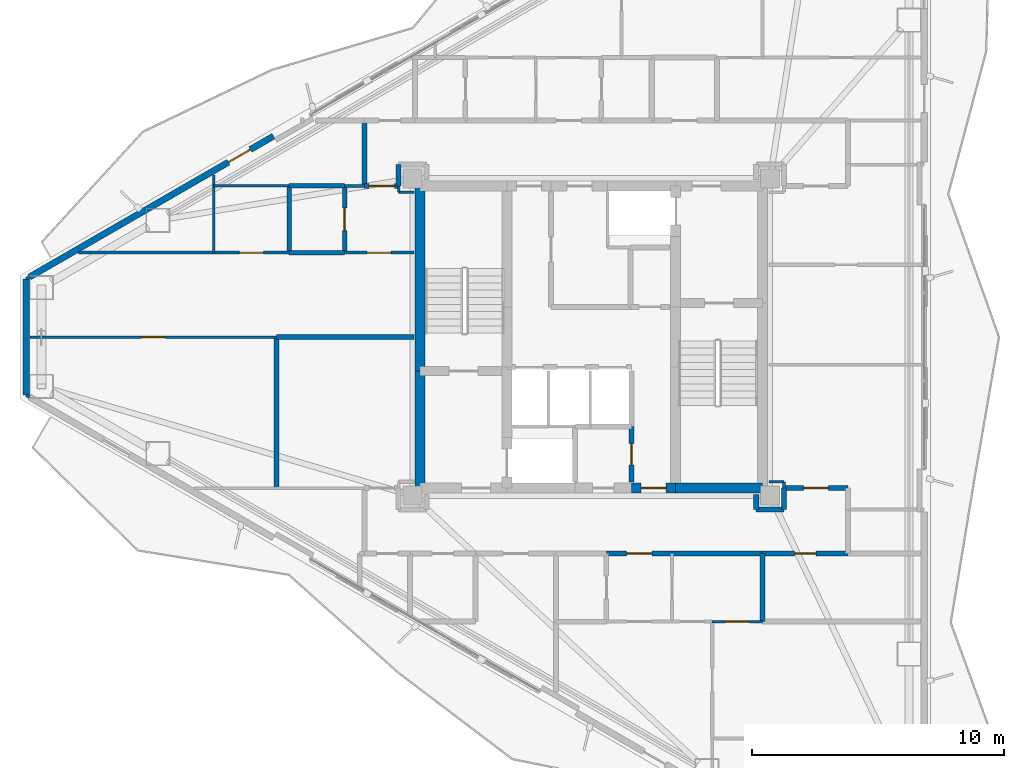
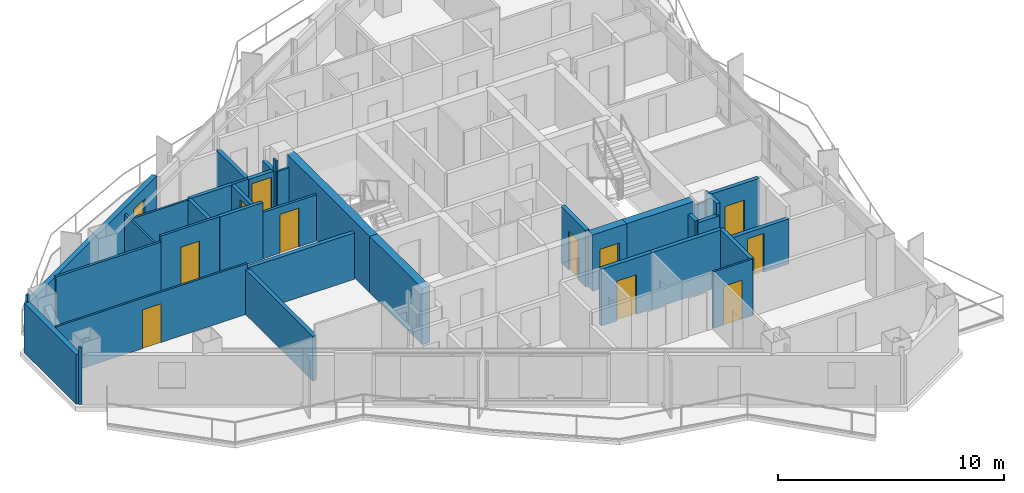
# One storey, part 13 of 18: 38 walls, 12 doors, 12 openings.
"""IFC4 building model written with IfcOpenShell, lengths in metres."""

from ifc_helpers import new_model, si_unit, direction, frame, frame_2d, origin, place, context, subcontext, project, spatial, rectangle, extrude, material, layer, layer_set, type_object, element, fill, save


model = new_model("IFC4")

# Units and contexts
model_context = context("Model", 3, precision=1e-05, world=origin(), true_north=direction((0.0, 1.0)))
body_context = subcontext(model_context, "Body", "Model", "MODEL_VIEW")
ifc_project = project(units=[si_unit("LENGTHUNIT", "METRE"), si_unit("AREAUNIT", "SQUARE_METRE"), si_unit("VOLUMEUNIT", "CUBIC_METRE"), si_unit("PLANEANGLEUNIT", "RADIAN"), si_unit("MASSUNIT", "GRAM", prefix="KILO")], contexts=[model_context])

# Site, building, storey
site_placement = place(None, origin())
site = spatial("IfcSite", under=ifc_project, at=site_placement, CompositionType="ELEMENT")
building_placement = place(site_placement, origin())
building = spatial("IfcBuilding", under=site, at=building_placement, Name="Mersakhor Tower and Convention Hall", CompositionType="ELEMENT")
storey_placement = place(building_placement, frame((0.0, 0.0, 137.699951171875)))
storey = spatial("IfcBuildingStorey", under=building, at=storey_placement, Name="L38", CompositionType="ELEMENT", Elevation=137.699951171875)

# Wall
ifc_material_1 = material(Name="Precast concrete C40/50", Category="concrete")
ifc_layer_1 = layer(ifc_material_1, 0.25)
ifc_layer_set_1 = layer_set([ifc_layer_1], Name="Precast concrete C40/50")
wall_type_1 = type_object("IfcWallType", Name="WL-EXT-250", PredefinedType="SOLIDWALL", material=ifc_layer_set_1)
wall_1_placement = place(storey_placement, frame((6.560302734375, 24.44140625, 0.0), z_axis=(0.0, 0.0, 1.0), x_axis=(0.0, 1.0, 0.0)))
element("IfcWall", 1, at=wall_1_placement, inside=storey, type_object=wall_type_1, Name="L38 Chamfer Braced Spandrel Wall C3", PredefinedType="SOLIDWALL", context=body_context, shape_type="SweptSolid", body=[
    extrude(rectangle(XDim=4.6171875, YDim=0.25, at=frame_2d((2.30859375, 0.0))), origin(), (0.0, 0.0, 1.0), 2.679931640625),
])

# Wall, opening, door
wall_2_placement = place(storey_placement, frame((6.690185546875, 29.1337890625, 0.0), z_axis=(0.0, 0.0, 1.0), x_axis=(0.866027848477, 0.499995765644, 0.0)))
wall_2 = element("IfcWall", 2, at=wall_2_placement, inside=storey, type_object=wall_type_1, Name="L38 Exterior Facade Wall F1-B1", PredefinedType="SOLIDWALL", context=body_context, shape_type="SweptSolid", body=[
    extrude(rectangle(XDim=11.18603515625, YDim=0.25, at=frame_2d((5.593017578125, 0.0))), origin(), (0.0, 0.0, 1.0), 2.679931640625),
])
opening_1_placement = place(wall_2_placement, frame((9.1220703125, 0.0, 0.0)))
opening_1 = element("IfcOpeningElement", 3, at=opening_1_placement, cuts=wall_2, Name="Opening BD-01", PredefinedType="OPENING", context=body_context, shape_type="SweptSolid", body=[
    extrude(rectangle(XDim=1.0, YDim=2.10009765625, at=frame_2d((0.5, 1.050048828125))), frame((0.0, 0.135009765625, 0.0), z_axis=(0.0, -1.0, 0.0), x_axis=(1.0, 0.0, 0.0)), (0.0, 0.0, 1.0), 0.27001953125),
])
ifc_material_2 = material(Name="Thermally broken dark aluminium and safety glass", Category="aluminium")
door_type_1 = type_object("IfcDoorType", Name="DR-BAL-100x210", OperationType="NOTDEFINED", PredefinedType="DOOR", material=ifc_material_2)
door_1_placement = place(opening_1_placement, origin())
door_1 = element("IfcDoor", 4, at=door_1_placement, inside=storey, type_object=door_type_1, Name="L38 Balcony Terrace Door F1-B1", OperationType="SINGLE_SWING_LEFT", OverallHeight=2.10009765625, OverallWidth=1.0, PredefinedType="DOOR", context=body_context, shape_type="SweptSolid", body=[
    extrude(rectangle(XDim=1.0, YDim=2.10009765625, at=frame_2d((0.5, 1.050048828125))), frame((0.0, 0.02490234375, 0.0), z_axis=(0.0, -1.0, 0.0), x_axis=(1.0, 0.0, 0.0)), (0.0, 0.0, 1.0), 0.050048828125),
])
fill(opening_1, door_1)

ifc_material_3 = material(Name="Moisture-resistant acoustic drywall studwork", Category="other")
ifc_layer_2 = layer(ifc_material_3, 0.175048828125)
ifc_layer_set_2 = layer_set([ifc_layer_2], Name="Moisture-resistant acoustic drywall studwork")
wall_type_2 = type_object("IfcWallType", Name="WL-PLM-175", PredefinedType="PLUMBINGWALL", material=ifc_layer_set_2)
wall_3_placement = place(storey_placement, frame((19.199951171875, 30.10009765625, 0.0), z_axis=(0.0, 0.0, 1.0), x_axis=(0.0, 1.0, 0.0)))
wall_3 = element("IfcWall", 5, at=wall_3_placement, inside=storey, type_object=wall_type_2, Name="L38 Interior Partition Wall P-060", PredefinedType="PLUMBINGWALL", context=body_context, shape_type="SweptSolid", body=[
    extrude(rectangle(XDim=2.64990234375, YDim=0.175048828125, at=frame_2d((1.324951171875, 0.0))), origin(), (0.0, 0.0, 1.0), 2.432861328125),
])
opening_2_placement = place(wall_3_placement, frame((0.875, 0.0, 0.0)))
opening_2 = element("IfcOpeningElement", 6, at=opening_2_placement, cuts=wall_3, Name="Opening WD-01", PredefinedType="OPENING", context=body_context, shape_type="SweptSolid", body=[
    extrude(rectangle(XDim=0.89990234375, YDim=2.10009765625, at=frame_2d((0.449951171875, 1.050048828125))), frame((0.0, 0.097412109375, 0.0), z_axis=(0.0, -1.0, 0.0), x_axis=(1.0, 0.0, 0.0)), (0.0, 0.0, 1.0), 0.195068359375),
])
ifc_material_4 = material(Name="Solid-core hardwood leaf in painted steel frame", Category="steel")
door_type_2 = type_object("IfcDoorType", Name="DR-INT-WET-090x210", OperationType="NOTDEFINED", PredefinedType="DOOR", material=ifc_material_4)
door_2_placement = place(opening_2_placement, origin())
door_2 = element("IfcDoor", 7, at=door_2_placement, inside=storey, type_object=door_type_2, Name="L38 L38 Flat W4 Apartment Hall to L38 Flat W4 Bathroom Door", OperationType="SINGLE_SWING_RIGHT", OverallHeight=2.10009765625, OverallWidth=0.89990234375, PredefinedType="DOOR", context=body_context, shape_type="SweptSolid", body=[
    extrude(rectangle(XDim=0.89990234375, YDim=2.10009765625, at=frame_2d((0.449951171875, 1.050048828125))), frame((0.0, 0.02490234375, 0.0), z_axis=(0.0, -1.0, 0.0), x_axis=(1.0, 0.0, 0.0)), (0.0, 0.0, 1.0), 0.050048828125),
])
fill(opening_2, door_2)

# Walls
wall_4_placement = place(storey_placement, frame((17.0, 32.75, 0.0), z_axis=(0.0, 0.0, 1.0), x_axis=(1.0, 0.0, 0.0)))
element("IfcWall", 8, at=wall_4_placement, inside=storey, type_object=wall_type_2, Name="L38 Interior Partition Wall P-079", PredefinedType="PLUMBINGWALL", context=body_context, shape_type="SweptSolid", body=[
    extrude(rectangle(XDim=2.199951171875, YDim=0.175048828125, at=frame_2d((1.10009765625, 0.0))), origin(), (0.0, 0.0, 1.0), 2.432861328125),
])
wall_5_placement = place(storey_placement, frame((19.199951171875, 30.10009765625, 0.0), z_axis=(0.0, 0.0, 1.0), x_axis=(-1.0, 0.0, 0.0)))
element("IfcWall", 9, at=wall_5_placement, inside=storey, type_object=wall_type_2, Name="L38 Interior Partition Wall P-080", PredefinedType="PLUMBINGWALL", context=body_context, shape_type="SweptSolid", body=[
    extrude(rectangle(XDim=2.199951171875, YDim=0.175048828125, at=frame_2d((1.10009765625, 0.0))), origin(), (0.0, 0.0, 1.0), 3.06005859375),
])
wall_6_placement = place(storey_placement, frame((17.0, 30.10009765625, 0.0), z_axis=(0.0, 0.0, 1.0), x_axis=(0.0, 1.0, 0.0)))
element("IfcWall", 10, at=wall_6_placement, inside=storey, type_object=wall_type_2, Name="L38 Interior Partition Wall P-081", PredefinedType="PLUMBINGWALL", context=body_context, shape_type="SweptSolid", body=[
    extrude(rectangle(XDim=2.64990234375, YDim=0.175048828125, at=frame_2d((1.324951171875, 0.0))), origin(), (0.0, 0.0, 1.0), 2.432861328125),
])
ifc_material_5 = material(Name="Lightweight gypsum partition", Category="other")
ifc_layer_3 = layer(ifc_material_5, 0.10009765625)
ifc_layer_set_3 = layer_set([ifc_layer_3], Name="Lightweight gypsum partition")
wall_type_3 = type_object("IfcWallType", Name="WL-PRT-100", PredefinedType="PARTITIONING", material=ifc_layer_set_3)
wall_7_placement = place(storey_placement, frame((21.35009765625, 32.5, 0.0), z_axis=(0.0, 0.0, 1.0), x_axis=(1.0, 0.0, 0.0)))
element("IfcWall", 11, at=wall_7_placement, inside=storey, type_object=wall_type_3, Name="L38 Interior Partition Wall P-058", PredefinedType="PARTITIONING", context=body_context, shape_type="SweptSolid", body=[
    extrude(rectangle(XDim=0.599853515625, YDim=0.10009765625, at=frame_2d((0.2998046875, 0.0))), origin(), (0.0, 0.0, 1.0), 2.50830078125),
])
wall_8_placement = place(storey_placement, frame((21.35009765625, 32.75, 0.0), z_axis=(0.0, 0.0, 1.0), x_axis=(0.0, -1.0, 0.0)))
element("IfcWall", 12, at=wall_8_placement, inside=storey, type_object=wall_type_3, Name="L38 Interior Partition Wall P-062", PredefinedType="PARTITIONING", context=body_context, shape_type="SweptSolid", body=[
    extrude(rectangle(XDim=0.25, YDim=0.10009765625, at=frame_2d((0.125, 0.0))), origin(), (0.0, 0.0, 1.0), 3.06005859375),
])

# Wall, opening, door
wall_9_placement = place(storey_placement, frame((35.800048828125, 15.449951171875, 0.0), z_axis=(0.0, 0.0, 1.0), x_axis=(-1.0, 0.0, 0.0)))
wall_9 = element("IfcWall", 13, at=wall_9_placement, inside=storey, type_object=wall_type_3, Name="L38 Interior Partition Wall P-076", PredefinedType="PARTITIONING", context=body_context, shape_type="SweptSolid", body=[
    extrude(rectangle(XDim=2.0, YDim=0.10009765625, at=frame_2d((1.0, 0.0))), origin(), (0.0, 0.0, 1.0), 3.06005859375),
])
opening_3_placement = place(wall_9_placement, frame((0.52490234375, 0.0, 0.0)))
opening_3 = element("IfcOpeningElement", 14, at=opening_3_placement, cuts=wall_9, Name="Opening RD-01", PredefinedType="OPENING", context=body_context, shape_type="SweptSolid", body=[
    extrude(rectangle(XDim=0.949951171875, YDim=2.10009765625, at=frame_2d((0.47509765625, 1.050048828125))), frame((0.0, 0.06005859375, 0.0), z_axis=(0.0, -1.0, 0.0), x_axis=(1.0, 0.0, 0.0)), (0.0, 0.0, 1.0), 0.1201171875),
])
ifc_material_6 = material(Name="Solid-core hardwood leaf in painted steel frame", Category="steel")
door_type_3 = type_object("IfcDoorType", Name="DR-INT-RM-095x210", OperationType="NOTDEFINED", PredefinedType="DOOR", material=ifc_material_6)
door_3_placement = place(opening_3_placement, origin())
door_3 = element("IfcDoor", 15, at=door_3_placement, inside=storey, type_object=door_type_3, Name="L38 L38 Flat S3 Kitchen to L38 Flat S3 Dining Room Door", OperationType="SINGLE_SWING_RIGHT", OverallHeight=2.10009765625, OverallWidth=0.949951171875, PredefinedType="DOOR", context=body_context, shape_type="SweptSolid", body=[
    extrude(rectangle(XDim=0.949951171875, YDim=2.10009765625, at=frame_2d((0.47509765625, 1.050048828125))), frame((0.0, 0.02490234375, 0.0), z_axis=(0.0, -1.0, 0.0), x_axis=(1.0, 0.0, 0.0)), (0.0, 0.0, 1.0), 0.050048828125),
])
fill(opening_3, door_3)

# Walls
wall_10_placement = place(storey_placement, frame((14.0, 32.75, 0.0), z_axis=(0.0, 0.0, 1.0), x_axis=(1.0, 0.0, 0.0)))
element("IfcWall", 16, at=wall_10_placement, inside=storey, type_object=wall_type_3, Name="L38 Interior Partition Wall P-082", PredefinedType="PARTITIONING", context=body_context, shape_type="SweptSolid", body=[
    extrude(rectangle(XDim=3.0, YDim=0.10009765625, at=frame_2d((1.5, 0.0))), origin(), (0.0, 0.0, 1.0), 2.364990234375),
])
wall_11_placement = place(storey_placement, frame((14.0, 30.10009765625, 0.0), z_axis=(0.0, 0.0, 1.0), x_axis=(0.0, 1.0, 0.0)))
element("IfcWall", 17, at=wall_11_placement, inside=storey, type_object=wall_type_3, Name="L38 Interior Partition Wall P-084", PredefinedType="PARTITIONING", context=body_context, shape_type="SweptSolid", body=[
    extrude(rectangle(XDim=3.081787109375, YDim=0.10009765625, at=frame_2d((1.541015625, 0.0))), origin(), (0.0, 0.0, 1.0), 2.364990234375),
])
wall_12_placement = place(storey_placement, frame((36.64990234375, 21.0, 0.0), z_axis=(0.0, 0.0, 1.0), x_axis=(-1.0, 0.0, 0.0)))
element("IfcWall", 18, at=wall_12_placement, inside=storey, type_object=wall_type_3, Name="L38 Interior Partition Wall P-104", PredefinedType="PARTITIONING", context=body_context, shape_type="SweptSolid", body=[
    extrude(rectangle(XDim=0.599853515625, YDim=0.10009765625, at=frame_2d((0.2998046875, 0.0))), origin(), (0.0, 0.0, 1.0), 2.50830078125),
])

# Wall, opening, door
wall_13_placement = place(storey_placement, frame((16.5, 26.75, 0.0), z_axis=(0.0, 0.0, 1.0), x_axis=(-1.0, 0.0, 0.0)))
wall_13 = element("IfcWall", 19, at=wall_13_placement, inside=storey, type_object=wall_type_3, Name="L38 Interior Partition Wall P-124", PredefinedType="PARTITIONING", context=body_context, shape_type="SweptSolid", body=[
    extrude(rectangle(XDim=9.790771484375, YDim=0.10009765625, at=frame_2d((4.8955078125, 0.0))), origin(), (0.0, 0.0, 1.0), 2.724609375),
])
opening_4_placement = place(wall_13_placement, frame((4.42041015625, 0.0, 0.0)))
opening_4 = element("IfcOpeningElement", 20, at=opening_4_placement, cuts=wall_13, Name="Opening RD-01", PredefinedType="OPENING", context=body_context, shape_type="SweptSolid", body=[
    extrude(rectangle(XDim=0.949951171875, YDim=2.10009765625, at=frame_2d((0.47509765625, 1.050048828125))), frame((0.0, 0.06005859375, 0.0), z_axis=(0.0, -1.0, 0.0), x_axis=(1.0, 0.0, 0.0)), (0.0, 0.0, 1.0), 0.1201171875),
])
door_4_placement = place(opening_4_placement, origin())
door_4 = element("IfcDoor", 21, at=door_4_placement, inside=storey, type_object=door_type_3, Name="L38 L38 Flat W4 Living and Dining Room to L38 Flat W4 Master Bedroom Door", OperationType="SINGLE_SWING_LEFT", OverallHeight=2.10009765625, OverallWidth=0.949951171875, PredefinedType="DOOR", context=body_context, shape_type="SweptSolid", body=[
    extrude(rectangle(XDim=0.949951171875, YDim=2.10009765625, at=frame_2d((0.47509765625, 1.050048828125))), frame((0.0, 0.02490234375, 0.0), z_axis=(0.0, -1.0, 0.0), x_axis=(1.0, 0.0, 0.0)), (0.0, 0.0, 1.0), 0.050048828125),
])
fill(opening_4, door_4)

ifc_material_7 = material(Name="Gypsum board acoustic partition", Category="other")
ifc_layer_4 = layer(ifc_material_7, 0.125)
ifc_layer_set_4 = layer_set([ifc_layer_4], Name="Gypsum board acoustic partition")
wall_type_4 = type_object("IfcWallType", Name="WL-PRT-125", PredefinedType="PARTITIONING", material=ifc_layer_set_4)
wall_14_placement = place(storey_placement, frame((21.949951171875, 30.10009765625, 0.0), z_axis=(0.0, 0.0, 1.0), x_axis=(-1.0, 0.0, 0.0)))
wall_14 = element("IfcWall", 22, at=wall_14_placement, inside=storey, type_object=wall_type_4, Name="L38 Interior Partition Wall P-059", PredefinedType="PARTITIONING", context=body_context, shape_type="SweptSolid", body=[
    extrude(rectangle(XDim=2.75, YDim=0.125, at=frame_2d((1.375, 0.0))), origin(), (0.0, 0.0, 1.0), 2.50830078125),
])
opening_5_placement = place(wall_14_placement, frame((0.89990234375, 0.0, 0.0)))
opening_5 = element("IfcOpeningElement", 23, at=opening_5_placement, cuts=wall_14, Name="Opening RD-01", PredefinedType="OPENING", context=body_context, shape_type="SweptSolid", body=[
    extrude(rectangle(XDim=0.949951171875, YDim=2.10009765625, at=frame_2d((0.47509765625, 1.050048828125))), frame((0.0, 0.072509765625, 0.0), z_axis=(0.0, -1.0, 0.0), x_axis=(1.0, 0.0, 0.0)), (0.0, 0.0, 1.0), 0.14501953125),
])
door_5_placement = place(opening_5_placement, origin())
door_5 = element("IfcDoor", 24, at=door_5_placement, inside=storey, type_object=door_type_3, Name="L38 L38 Flat W4 Apartment Hall to L38 Flat W4 Living and Dining Room Door", OperationType="SINGLE_SWING_LEFT", OverallHeight=2.10009765625, OverallWidth=0.949951171875, PredefinedType="DOOR", context=body_context, shape_type="SweptSolid", body=[
    extrude(rectangle(XDim=0.949951171875, YDim=2.10009765625, at=frame_2d((0.47509765625, 1.050048828125))), frame((0.0, 0.02490234375, 0.0), z_axis=(0.0, -1.0, 0.0), x_axis=(1.0, 0.0, 0.0)), (0.0, 0.0, 1.0), 0.050048828125),
])
fill(opening_5, door_5)

# Wall
wall_15_placement = place(storey_placement, frame((19.199951171875, 32.75, 0.0), z_axis=(0.0, 0.0, 1.0), x_axis=(1.0, 0.0, 0.0)))
element("IfcWall", 25, at=wall_15_placement, inside=storey, type_object=wall_type_4, Name="L38 Interior Partition Wall P-061", PredefinedType="PARTITIONING", context=body_context, shape_type="SweptSolid", body=[
    extrude(rectangle(XDim=0.800048828125, YDim=0.125, at=frame_2d((0.39990234375, 0.0))), origin(), (0.0, 0.0, 1.0), 2.432861328125),
])

# Wall, opening, door
wall_16_placement = place(storey_placement, frame((17.0, 30.10009765625, 0.0), z_axis=(0.0, 0.0, 1.0), x_axis=(-1.0, 0.0, 0.0)))
wall_16 = element("IfcWall", 26, at=wall_16_placement, inside=storey, type_object=wall_type_4, Name="L38 Interior Partition Wall P-083", PredefinedType="PARTITIONING", context=body_context, shape_type="SweptSolid", body=[
    extrude(rectangle(XDim=3.0, YDim=0.125, at=frame_2d((1.5, 0.0))), origin(), (0.0, 0.0, 1.0), 3.06005859375),
])
opening_6_placement = place(wall_16_placement, frame((1.02490234375, 0.0, 0.0)))
opening_6 = element("IfcOpeningElement", 27, at=opening_6_placement, cuts=wall_16, Name="Opening RD-01", PredefinedType="OPENING", context=body_context, shape_type="SweptSolid", body=[
    extrude(rectangle(XDim=0.949951171875, YDim=2.10009765625, at=frame_2d((0.47509765625, 1.050048828125))), frame((0.0, 0.072509765625, 0.0), z_axis=(0.0, -1.0, 0.0), x_axis=(1.0, 0.0, 0.0)), (0.0, 0.0, 1.0), 0.14501953125),
])
door_6_placement = place(opening_6_placement, origin())
door_6 = element("IfcDoor", 28, at=door_6_placement, inside=storey, type_object=door_type_3, Name="L38 L38 Flat W4 Kitchen to L38 Flat W4 Living and Dining Room Door", OperationType="SINGLE_SWING_LEFT", OverallHeight=2.10009765625, OverallWidth=0.949951171875, PredefinedType="DOOR", context=body_context, shape_type="SweptSolid", body=[
    extrude(rectangle(XDim=0.949951171875, YDim=2.10009765625, at=frame_2d((0.47509765625, 1.050048828125))), frame((0.0, 0.02490234375, 0.0), z_axis=(0.0, -1.0, 0.0), x_axis=(1.0, 0.0, 0.0)), (0.0, 0.0, 1.0), 0.050048828125),
])
fill(opening_6, door_6)

# Walls
wall_17_placement = place(storey_placement, frame((36.64990234375, 20.75, 0.0), z_axis=(0.0, 0.0, 1.0), x_axis=(0.0, 1.0, 0.0)))
element("IfcWall", 29, at=wall_17_placement, inside=storey, type_object=wall_type_4, Name="L38 Interior Partition Wall P-103", PredefinedType="PARTITIONING", context=body_context, shape_type="SweptSolid", body=[
    extrude(rectangle(XDim=0.25, YDim=0.125, at=frame_2d((0.125, 0.0))), origin(), (0.0, 0.0, 1.0), 3.06005859375),
])
wall_18_placement = place(storey_placement, frame((8.634765625, 30.10009765625, 0.0), z_axis=(0.0, 0.0, 1.0), x_axis=(1.0, 0.0, 0.0)))
element("IfcWall", 30, at=wall_18_placement, inside=storey, type_object=wall_type_4, Name="L38 Interior Partition Wall P-123", PredefinedType="PARTITIONING", context=body_context, shape_type="SweptSolid", body=[
    extrude(rectangle(XDim=5.365234375, YDim=0.125, at=frame_2d((2.6826171875, 0.0))), origin(), (0.0, 0.0, 1.0), 2.724609375),
])
for number, where, z_axis, x_axis, name in (
    (31, (6.56005859375, 29.05908203125, 0.0), (0.0, 0.0, 1.0), (0.866131372301, 0.499816412211, 0.0), "L38 Interior Partition Wall P-125"),
    (32, (6.68994140625, 24.365966796875, 0.0), (0.0, 0.0, 1.0), (-0.866131372301, 0.499816412211, 0.0), "L38 Interior Partition Wall P-127"),
):
    element("IfcWall", number, at=place(storey_placement, frame(where, z_axis=z_axis, x_axis=x_axis)), inside=storey, type_object=wall_type_4, Name=name, PredefinedType="PARTITIONING", context=body_context, shape_type="SweptSolid", body=[
        extrude(rectangle(XDim=0.14990234375, YDim=0.125, at=frame_2d((0.074951171875, 0.0))), origin(), (0.0, 0.0, 1.0), 3.06005859375),
    ])

# Wall, opening, door
ifc_material_8 = material(Name="Acoustic concrete blockwork and gypsum board", Category="masonry")
ifc_layer_5 = layer(ifc_material_8, 0.199951171875)
ifc_layer_set_5 = layer_set([ifc_layer_5], Name="Acoustic concrete blockwork and gypsum board")
wall_type_5 = type_object("IfcWallType", Name="WL-PRT-200", PredefinedType="PARTITIONING", material=ifc_layer_set_5)
wall_19_placement = place(storey_placement, frame((30.60009765625, 21.0, 0.0), z_axis=(0.0, 0.0, 1.0), x_axis=(0.0, 1.0, 0.0)))
wall_19 = element("IfcWall", 33, at=wall_19_placement, inside=storey, type_object=wall_type_5, Name="L38 Interior Partition Wall P-012", PredefinedType="PARTITIONING", context=body_context, shape_type="SweptSolid", body=[
    extrude(rectangle(XDim=2.199951171875, YDim=0.199951171875, at=frame_2d((1.10009765625, 0.0))), origin(), (0.0, 0.0, 1.0), 3.06005859375),
])
opening_7_placement = place(wall_19_placement, frame((0.675048828125, 0.0, 0.0)))
opening_7 = element("IfcOpeningElement", 34, at=opening_7_placement, cuts=wall_19, Name="Opening SVD-01", PredefinedType="OPENING", context=body_context, shape_type="SweptSolid", body=[
    extrude(rectangle(XDim=0.85009765625, YDim=2.10009765625, at=frame_2d((0.425048828125, 1.050048828125))), frame((0.0, 0.10986328125, 0.0), z_axis=(0.0, -1.0, 0.0), x_axis=(1.0, 0.0, 0.0)), (0.0, 0.0, 1.0), 0.219970703125),
])
ifc_material_9 = material(Name="Fire-rated hardwood leaf and painted steel frame", Category="steel")
door_type_4 = type_object("IfcDoorType", Name="DR-INT-SVC-085x210", OperationType="NOTDEFINED", PredefinedType="DOOR", material=ifc_material_9)
door_7_placement = place(opening_7_placement, origin())
door_7 = element("IfcDoor", 35, at=door_7_placement, inside=storey, type_object=door_type_4, Name="L38 Central Passenger Lift Lobby to Electrical Distribution Room Door", OperationType="SINGLE_SWING_LEFT", OverallHeight=2.10009765625, OverallWidth=0.85009765625, PredefinedType="DOOR", context=body_context, shape_type="SweptSolid", body=[
    extrude(rectangle(XDim=0.85009765625, YDim=2.10009765625, at=frame_2d((0.425048828125, 1.050048828125))), frame((0.0, 0.02490234375, 0.0), z_axis=(0.0, -1.0, 0.0), x_axis=(1.0, 0.0, 0.0)), (0.0, 0.0, 1.0), 0.050048828125),
])
fill(opening_7, door_7)

# Wall
wall_20_placement = place(storey_placement, frame((21.35009765625, 33.60009765625, 0.0), z_axis=(0.0, 0.0, 1.0), x_axis=(0.0, -1.0, 0.0)))
element("IfcWall", 36, at=wall_20_placement, inside=storey, type_object=wall_type_5, Name="L38 Interior Partition Wall P-019", PredefinedType="PARTITIONING", context=body_context, shape_type="SweptSolid", body=[
    extrude(rectangle(XDim=0.85009765625, YDim=0.199951171875, at=frame_2d((0.425048828125, 0.0))), origin(), (0.0, 0.0, 1.0), 2.432861328125),
])

# Wall, opening, door
wall_21_placement = place(storey_placement, frame((21.35009765625, 32.75, 0.0), z_axis=(0.0, 0.0, 1.0), x_axis=(-1.0, 0.0, 0.0)))
wall_21 = element("IfcWall", 37, at=wall_21_placement, inside=storey, type_object=wall_type_5, Name="L38 Interior Partition Wall P-020", PredefinedType="PARTITIONING", context=body_context, shape_type="SweptSolid", body=[
    extrude(rectangle(XDim=1.35009765625, YDim=0.199951171875, at=frame_2d((0.675048828125, 0.0))), origin(), (0.0, 0.0, 1.0), 2.432861328125),
])
opening_8_placement = place(wall_21_placement, frame((0.175048828125, 0.0, 0.0)))
opening_8 = element("IfcOpeningElement", 38, at=opening_8_placement, cuts=wall_21, Name="Opening FD-01", PredefinedType="OPENING", context=body_context, shape_type="SweptSolid", body=[
    extrude(rectangle(XDim=1.0, YDim=2.14990234375, at=frame_2d((0.5, 1.074951171875))), frame((0.0, 0.10986328125, 0.0), z_axis=(0.0, -1.0, 0.0), x_axis=(1.0, 0.0, 0.0)), (0.0, 0.0, 1.0), 0.219970703125),
])
ifc_material_10 = material(Name="Fire-rated hardwood leaf and painted steel frame", Category="steel")
door_type_5 = type_object("IfcDoorType", Name="DR-INT-FLT-100x215", OperationType="NOTDEFINED", PredefinedType="DOOR", material=ifc_material_10)
door_8_placement = place(opening_8_placement, origin())
door_8 = element("IfcDoor", 39, at=door_8_placement, inside=storey, type_object=door_type_5, Name="L38 Apartment Entrance Door (Residential North Gallery Corridor to L38 Flat W4 Apartment Hall)", OperationType="SINGLE_SWING_LEFT", OverallHeight=2.14990234375, OverallWidth=1.0, PredefinedType="DOOR", context=body_context, shape_type="SweptSolid", body=[
    extrude(rectangle(XDim=1.0, YDim=2.14990234375, at=frame_2d((0.5, 1.074951171875))), frame((0.0, 0.02490234375, 0.0), z_axis=(0.0, -1.0, 0.0), x_axis=(1.0, 0.0, 0.0)), (0.0, 0.0, 1.0), 0.050048828125),
])
fill(opening_8, door_8)

# Walls
wall_22_placement = place(storey_placement, frame((20.0, 32.75, 0.0), z_axis=(0.0, 0.0, 1.0), x_axis=(0.0, 1.0, 0.0)))
element("IfcWall", 40, at=wall_22_placement, inside=storey, type_object=wall_type_5, Name="L38 Interior Partition Wall P-021", PredefinedType="PARTITIONING", context=body_context, shape_type="SweptSolid", body=[
    extrude(rectangle(XDim=2.60009765625, YDim=0.199951171875, at=frame_2d((1.300048828125, 0.0))), origin(), (0.0, 0.0, 1.0), 2.432861328125),
])
wall_23_placement = place(storey_placement, frame((35.550048828125, 20.5, 0.0), z_axis=(0.0, 0.0, 1.0), x_axis=(0.0, -1.0, 0.0)))
element("IfcWall", 41, at=wall_23_placement, inside=storey, type_object=wall_type_5, Name="L38 Interior Partition Wall P-035", PredefinedType="PARTITIONING", context=body_context, shape_type="SweptSolid", body=[
    extrude(rectangle(XDim=0.60009765625, YDim=0.199951171875, at=frame_2d((0.300048828125, 0.0))), origin(), (0.0, 0.0, 1.0), 2.50830078125),
])
wall_24_placement = place(storey_placement, frame((35.550048828125, 19.89990234375, 0.0), z_axis=(0.0, 0.0, 1.0), x_axis=(1.0, 0.0, 0.0)))
element("IfcWall", 42, at=wall_24_placement, inside=storey, type_object=wall_type_5, Name="L38 Interior Partition Wall P-036", PredefinedType="PARTITIONING", context=body_context, shape_type="SweptSolid", body=[
    extrude(rectangle(XDim=1.099853515625, YDim=0.199951171875, at=frame_2d((0.5498046875, 0.0))), origin(), (0.0, 0.0, 1.0), 2.432861328125),
])
wall_25_placement = place(storey_placement, frame((36.64990234375, 19.89990234375, 0.0), z_axis=(0.0, 0.0, 1.0), x_axis=(0.0, 1.0, 0.0)))
element("IfcWall", 43, at=wall_25_placement, inside=storey, type_object=wall_type_5, Name="L38 Interior Partition Wall P-037", PredefinedType="PARTITIONING", context=body_context, shape_type="SweptSolid", body=[
    extrude(rectangle(XDim=0.85009765625, YDim=0.199951171875, at=frame_2d((0.425048828125, 0.0))), origin(), (0.0, 0.0, 1.0), 3.06005859375),
])

# Wall, opening, door
wall_26_placement = place(storey_placement, frame((36.64990234375, 20.75, 0.0), z_axis=(0.0, 0.0, 1.0), x_axis=(1.0, 0.0, 0.0)))
wall_26 = element("IfcWall", 44, at=wall_26_placement, inside=storey, type_object=wall_type_5, Name="L38 Interior Partition Wall P-038", PredefinedType="PARTITIONING", context=body_context, shape_type="SweptSolid", body=[
    extrude(rectangle(XDim=2.550048828125, YDim=0.199951171875, at=frame_2d((1.27490234375, 0.0))), origin(), (0.0, 0.0, 1.0), 3.06005859375),
])
opening_9_placement = place(wall_26_placement, frame((0.77490234375, 0.0, 0.0)))
opening_9 = element("IfcOpeningElement", 45, at=opening_9_placement, cuts=wall_26, Name="Opening FD-01", PredefinedType="OPENING", context=body_context, shape_type="SweptSolid", body=[
    extrude(rectangle(XDim=1.0, YDim=2.14990234375, at=frame_2d((0.5, 1.074951171875))), frame((0.0, 0.10986328125, 0.0), z_axis=(0.0, -1.0, 0.0), x_axis=(1.0, 0.0, 0.0)), (0.0, 0.0, 1.0), 0.219970703125),
])
door_9_placement = place(opening_9_placement, origin())
door_9 = element("IfcDoor", 46, at=door_9_placement, inside=storey, type_object=door_type_5, Name="L38 Residential South Gallery Corridor to L38 East Wing Residents Reading Lounge Door", OperationType="SINGLE_SWING_LEFT", OverallHeight=2.14990234375, OverallWidth=1.0, PredefinedType="DOOR", context=body_context, shape_type="SweptSolid", body=[
    extrude(rectangle(XDim=1.0, YDim=2.14990234375, at=frame_2d((0.5, 1.074951171875))), frame((0.0, 0.02490234375, 0.0), z_axis=(0.0, -1.0, 0.0), x_axis=(1.0, 0.0, 0.0)), (0.0, 0.0, 1.0), 0.050048828125),
])
fill(opening_9, door_9)

wall_27_placement = place(storey_placement, frame((39.199951171875, 18.14990234375, 0.0), z_axis=(0.0, 0.0, 1.0), x_axis=(-1.0, 0.0, 0.0)))
wall_27 = element("IfcWall", 47, at=wall_27_placement, inside=storey, type_object=wall_type_5, Name="L38 Interior Partition Wall P-041", PredefinedType="PARTITIONING", context=body_context, shape_type="SweptSolid", body=[
    extrude(rectangle(XDim=3.39990234375, YDim=0.199951171875, at=frame_2d((1.699951171875, 0.0))), origin(), (0.0, 0.0, 1.0), 2.432861328125),
])
opening_10_placement = place(wall_27_placement, frame((1.27490234375, 0.0, 0.0)))
opening_10 = element("IfcOpeningElement", 48, at=opening_10_placement, cuts=wall_27, Name="Opening SVD-01", PredefinedType="OPENING", context=body_context, shape_type="SweptSolid", body=[
    extrude(rectangle(XDim=0.85009765625, YDim=2.10009765625, at=frame_2d((0.425048828125, 1.050048828125))), frame((0.0, 0.10986328125, 0.0), z_axis=(0.0, -1.0, 0.0), x_axis=(1.0, 0.0, 0.0)), (0.0, 0.0, 1.0), 0.219970703125),
])
door_10_placement = place(opening_10_placement, origin())
door_10 = element("IfcDoor", 49, at=door_10_placement, inside=storey, type_object=door_type_4, Name="L38 Residential South Gallery Corridor to L38 South Wing Household Store Room Door", OperationType="SINGLE_SWING_LEFT", OverallHeight=2.10009765625, OverallWidth=0.85009765625, PredefinedType="DOOR", context=body_context, shape_type="SweptSolid", body=[
    extrude(rectangle(XDim=0.85009765625, YDim=2.10009765625, at=frame_2d((0.425048828125, 1.050048828125))), frame((0.0, 0.02490234375, 0.0), z_axis=(0.0, -1.0, 0.0), x_axis=(1.0, 0.0, 0.0)), (0.0, 0.0, 1.0), 0.050048828125),
])
fill(opening_10, door_10)

# Wall
wall_28_placement = place(storey_placement, frame((35.800048828125, 18.14990234375, 0.0), z_axis=(0.0, 0.0, 1.0), x_axis=(-1.0, 0.0, 0.0)))
element("IfcWall", 50, at=wall_28_placement, inside=storey, type_object=wall_type_5, Name="L38 Interior Partition Wall P-042", PredefinedType="PARTITIONING", context=body_context, shape_type="SweptSolid", body=[
    extrude(rectangle(XDim=3.60009765625, YDim=0.199951171875, at=frame_2d((1.800048828125, 0.0))), origin(), (0.0, 0.0, 1.0), 3.06005859375),
])

# Wall, opening, door
wall_29_placement = place(storey_placement, frame((32.199951171875, 18.14990234375, 0.0), z_axis=(0.0, 0.0, 1.0), x_axis=(-1.0, 0.0, 0.0)))
wall_29 = element("IfcWall", 51, at=wall_29_placement, inside=storey, type_object=wall_type_5, Name="L38 Interior Partition Wall P-043", PredefinedType="PARTITIONING", context=body_context, shape_type="SweptSolid", body=[
    extrude(rectangle(XDim=2.599853515625, YDim=0.199951171875, at=frame_2d((1.2998046875, 0.0))), origin(), (0.0, 0.0, 1.0), 3.06005859375),
])
opening_11_placement = place(wall_29_placement, frame((0.800048828125, 0.0, 0.0)))
opening_11 = element("IfcOpeningElement", 52, at=opening_11_placement, cuts=wall_29, Name="Opening FD-01", PredefinedType="OPENING", context=body_context, shape_type="SweptSolid", body=[
    extrude(rectangle(XDim=1.0, YDim=2.14990234375, at=frame_2d((0.5, 1.074951171875))), frame((0.0, 0.10986328125, 0.0), z_axis=(0.0, -1.0, 0.0), x_axis=(1.0, 0.0, 0.0)), (0.0, 0.0, 1.0), 0.219970703125),
])
door_11_placement = place(opening_11_placement, origin())
door_11 = element("IfcDoor", 53, at=door_11_placement, inside=storey, type_object=door_type_5, Name="L38 Apartment Entrance Door (Residential South Gallery Corridor to L38 Flat S3 Apartment Hall)", OperationType="SINGLE_SWING_RIGHT", OverallHeight=2.14990234375, OverallWidth=1.0, PredefinedType="DOOR", context=body_context, shape_type="SweptSolid", body=[
    extrude(rectangle(XDim=1.0, YDim=2.14990234375, at=frame_2d((0.5, 1.074951171875))), frame((0.0, 0.02490234375, 0.0), z_axis=(0.0, -1.0, 0.0), x_axis=(1.0, 0.0, 0.0)), (0.0, 0.0, 1.0), 0.050048828125),
])
fill(opening_11, door_11)

# Walls
wall_30_placement = place(storey_placement, frame((35.800048828125, 18.14990234375, 0.0), z_axis=(0.0, 0.0, 1.0), x_axis=(0.0, -1.0, 0.0)))
element("IfcWall", 54, at=wall_30_placement, inside=storey, type_object=wall_type_5, Name="L38 Interior Partition Wall P-078", PredefinedType="PARTITIONING", context=body_context, shape_type="SweptSolid", body=[
    extrude(rectangle(XDim=2.699951171875, YDim=0.199951171875, at=frame_2d((1.35009765625, 0.0))), origin(), (0.0, 0.0, 1.0), 3.06005859375),
])
wall_31_placement = place(storey_placement, frame((16.5, 20.75, 0.0), z_axis=(0.0, 0.0, 1.0), x_axis=(0.0, 1.0, 0.0)))
element("IfcWall", 55, at=wall_31_placement, inside=storey, type_object=wall_type_5, Name="L38 Interior Partition Wall P-093", PredefinedType="PARTITIONING", context=body_context, shape_type="SweptSolid", body=[
    extrude(rectangle(XDim=6.0, YDim=0.199951171875, at=frame_2d((3.0, 0.0))), origin(), (0.0, 0.0, 1.0), 2.432861328125),
])
wall_32_placement = place(storey_placement, frame((16.5, 26.75, 0.0), z_axis=(0.0, 0.0, 1.0), x_axis=(1.0, 0.0, 0.0)))
element("IfcWall", 56, at=wall_32_placement, inside=storey, type_object=wall_type_5, Name="L38 Interior Partition Wall P-094", PredefinedType="PARTITIONING", context=body_context, shape_type="SweptSolid", body=[
    extrude(rectangle(XDim=5.449951171875, YDim=0.199951171875, at=frame_2d((2.72509765625, 0.0))), origin(), (0.0, 0.0, 1.0), 2.50830078125),
])
ifc_material_11 = material(Name="Concrete C60/75", Category="concrete")
ifc_layer_6 = layer(ifc_material_11, 0.39990234375)
ifc_layer_set_6 = layer_set([ifc_layer_6], Name="Concrete C60/75")
wall_type_6 = type_object("IfcWallType", Name="WL-SHR-400", PredefinedType="SHEAR", material=ifc_layer_set_6)
wall_33_placement = place(storey_placement, frame((22.199951171875, 20.75, 0.0), z_axis=(0.0, 0.0, 1.0), x_axis=(0.0, 1.0, 0.0)))
element("IfcWall", 57, at=wall_33_placement, inside=storey, type_object=wall_type_6, Name="L38 Core Wall CW-W1", PredefinedType="SHEAR", context=body_context, shape_type="SweptSolid", body=[
    extrude(rectangle(XDim=4.64990234375, YDim=0.39990234375, at=frame_2d((2.324951171875, 0.0))), origin(), (0.0, 0.0, 1.0), 3.06005859375),
])
wall_34_placement = place(storey_placement, frame((22.199951171875, 25.39990234375, 0.0), z_axis=(0.0, 0.0, 1.0), x_axis=(0.0, 1.0, 0.0)))
element("IfcWall", 58, at=wall_34_placement, inside=storey, type_object=wall_type_6, Name="L38 Core Wall CW-W2", PredefinedType="SHEAR", context=body_context, shape_type="SweptSolid", body=[
    extrude(rectangle(XDim=7.35009765625, YDim=0.39990234375, at=frame_2d((3.675048828125, 0.0))), origin(), (0.0, 0.0, 1.0), 3.06005859375),
])
wall_35_placement = place(storey_placement, frame((35.800048828125, 20.75, 0.0), z_axis=(0.0, 0.0, 1.0), x_axis=(-1.0, 0.0, 0.0)))
element("IfcWall", 59, at=wall_35_placement, inside=storey, type_object=wall_type_6, Name="L38 Core Wall CW-S1", PredefinedType="SHEAR", context=body_context, shape_type="SweptSolid", body=[
    extrude(rectangle(XDim=3.449951171875, YDim=0.39990234375, at=frame_2d((1.72509765625, 0.0))), origin(), (0.0, 0.0, 1.0), 3.06005859375),
])

# Wall, opening, door
wall_36_placement = place(storey_placement, frame((32.35009765625, 20.75, 0.0), z_axis=(0.0, 0.0, 1.0), x_axis=(-1.0, 0.0, 0.0)))
wall_36 = element("IfcWall", 60, at=wall_36_placement, inside=storey, type_object=wall_type_6, Name="L38 Core Wall CW-S2A", PredefinedType="SHEAR", context=body_context, shape_type="SweptSolid", body=[
    extrude(rectangle(XDim=1.75, YDim=0.39990234375, at=frame_2d((0.875, 0.0))), origin(), (0.0, 0.0, 1.0), 3.06005859375),
])
opening_12_placement = place(wall_36_placement, frame((0.375, 0.0, 0.0)))
opening_12 = element("IfcOpeningElement", 61, at=opening_12_placement, cuts=wall_36, Name="Opening CFD-01", PredefinedType="OPENING", context=body_context, shape_type="SweptSolid", body=[
    extrude(rectangle(XDim=1.0, YDim=2.14990234375, at=frame_2d((0.5, 1.074951171875))), frame((0.0, 0.2099609375, 0.0), z_axis=(0.0, -1.0, 0.0), x_axis=(1.0, 0.0, 0.0)), (0.0, 0.0, 1.0), 0.419921875),
])
ifc_material_12 = material(Name="Fire-rated hardwood leaf and painted steel frame", Category="steel")
door_type_6 = type_object("IfcDoorType", Name="DR-CORE-FD-100x215", OperationType="NOTDEFINED", PredefinedType="DOOR", material=ifc_material_12)
door_12_placement = place(opening_12_placement, origin())
door_12 = element("IfcDoor", 62, at=door_12_placement, inside=storey, type_object=door_type_6, Name="L38 Lift Lobby South Corridor Door", OperationType="SINGLE_SWING_RIGHT", OverallHeight=2.14990234375, OverallWidth=1.0, PredefinedType="DOOR", context=body_context, shape_type="SweptSolid", body=[
    extrude(rectangle(XDim=1.0, YDim=2.14990234375, at=frame_2d((0.5, 1.074951171875))), frame((0.0, 0.02490234375, 0.0), z_axis=(0.0, -1.0, 0.0), x_axis=(1.0, 0.0, 0.0)), (0.0, 0.0, 1.0), 0.050048828125),
])
fill(opening_12, door_12)

save(model, "model.ifc")
